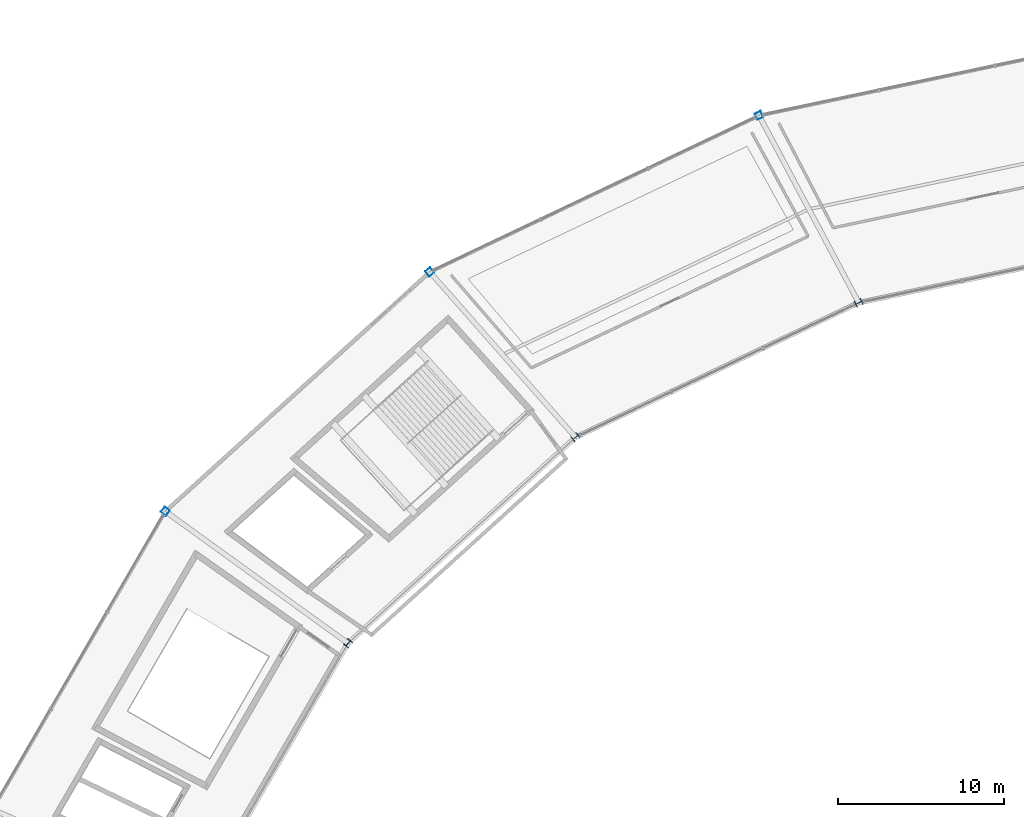
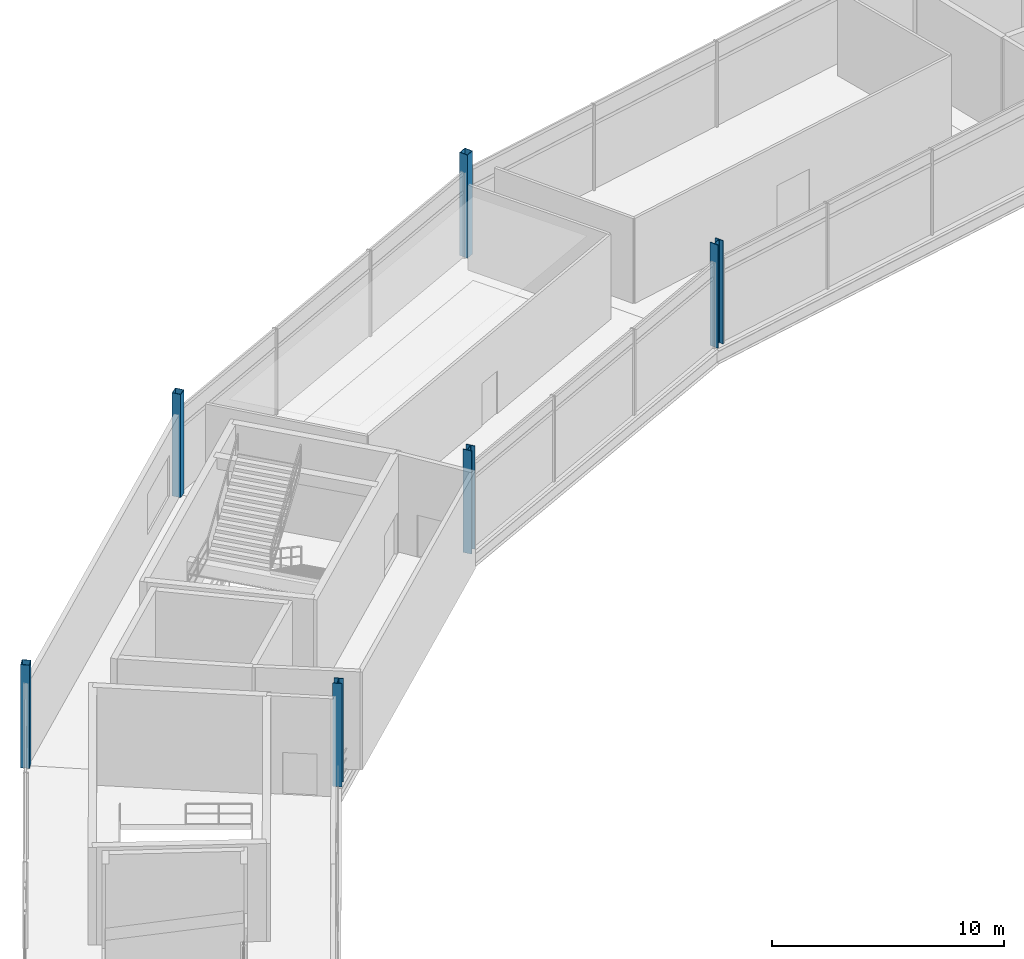
# One storey, part 9 of 86: 6 columns.
"""IFC4 building model written with IfcOpenShell, lengths in metres."""

from ifc_helpers import new_model, si_unit, direction, frame, origin, origin_2d, place, context, subcontext, project, spatial, hollow_rectangle, i_section, extrude, material, material_profile, profile_set, type_object, element, save


model = new_model("IFC4")

# Units and contexts
model_context = context("Model", 3, precision=1e-05, world=origin(), true_north=direction((0.0, 1.0)))
body_context = subcontext(model_context, "Body", "Model", "MODEL_VIEW")
ifc_project = project(units=[si_unit("LENGTHUNIT", "METRE"), si_unit("AREAUNIT", "SQUARE_METRE"), si_unit("VOLUMEUNIT", "CUBIC_METRE"), si_unit("PLANEANGLEUNIT", "RADIAN"), si_unit("MASSUNIT", "GRAM", prefix="KILO")], contexts=[model_context])

# Site, building, storey
site_placement = place(None, origin())
site = spatial("IfcSite", under=ifc_project, at=site_placement, CompositionType="ELEMENT")
building_placement = place(site_placement, origin())
building = spatial("IfcBuilding", under=site, at=building_placement, Name="Kazemori Nagisa Stadium", CompositionType="ELEMENT")
storey_placement = place(building_placement, frame((0.0, 0.0, 31.280029296875)))
storey = spatial("IfcBuildingStorey", under=building, at=storey_placement, Name="L06", CompositionType="ELEMENT", Elevation=31.280029296875)

# Columns
ifc_material_1 = material(Name="Steel SN490B", Category="steel")
ifc_material_profile_1 = material_profile(ifc_material_1, i_section(OverallWidth=0.406982421875, OverallDepth=0.427978515625, WebThickness=0.02001953125, FlangeThickness=0.034912109375, FilletRadius=0.012939453125, at=origin_2d()), Name="H-428x407x20x35")
ifc_profile_set_1 = profile_set([ifc_material_profile_1], Name="Steel SN490B")
column_type_1 = type_object("IfcColumnType", Name="Column_C-H428", PredefinedType="COLUMN", material=ifc_profile_set_1)
for number, where, z_axis, x_axis, name in (
    (1, (86.18798828125, 171.19921875, 0.0), (0.0, 0.0, 1.0), (-0.433883739113, 0.900968867905, 0.0), "Column C-H428 L06 R2-10"),
    (2, (69.165771484375, 163.11083984375, 0.0), (0.0, 0.0, 1.0), (-0.623489801853, 0.781831482473, 0.0), "Column C-H428 L06 R2-11"),
    (3, (55.493896484375, 150.734130859375, 0.0), (0.0, 0.0, 1.0), (-0.781831482473, 0.623489801853, 0.0), "Column C-H428 L06 R2-12"),
):
    element("IfcColumn", number, at=place(storey_placement, frame(where, z_axis=z_axis, x_axis=x_axis)), inside=storey, type_object=column_type_1, Name=name, PredefinedType="COLUMN", context=body_context, shape_type="SweptSolid", body=[
        extrude(i_section(OverallWidth=0.406982421875, OverallDepth=0.427978515625, WebThickness=0.02001953125, FlangeThickness=0.034912109375, FilletRadius=0.012939453125, at=origin_2d()), origin(), (0.0, 0.0, 1.0), 5.43994140625),
    ])
ifc_material_2 = material(Name="Steel STKR490", Category="steel")
ifc_material_profile_2 = material_profile(ifc_material_2, hollow_rectangle(XDim=0.39990234375, YDim=0.39990234375, WallThickness=0.01904296875, at=origin_2d()), Name="SHS-400x400x19")
ifc_profile_set_2 = profile_set([ifc_material_profile_2], Name="Steel STKR490")
column_type_2 = type_object("IfcColumnType", Name="Column_C-ST400", PredefinedType="COLUMN", material=ifc_profile_set_2)
for number, where, z_axis, x_axis, name in (
    (4, (80.1953125, 182.46435546875, 0.0), (0.0, 0.0, 1.0), (-0.433883739113, 0.900968867905, 0.0), "Column C-ST400 L06 R3-10"),
    (5, (60.402099609375, 173.05908203125, 0.0), (0.0, 0.0, 1.0), (-0.623489801853, 0.781831482473, 0.0), "Column C-ST400 L06 R3-11"),
    (6, (44.504638671875, 158.667724609375, 0.0), (0.0, 0.0, 1.0), (-0.781831482473, 0.623489801853, 0.0), "Column C-ST400 L06 R3-12"),
):
    element("IfcColumn", number, at=place(storey_placement, frame(where, z_axis=z_axis, x_axis=x_axis)), inside=storey, type_object=column_type_2, Name=name, PredefinedType="COLUMN", context=body_context, shape_type="SweptSolid", body=[
        extrude(hollow_rectangle(XDim=0.39990234375, YDim=0.39990234375, WallThickness=0.01904296875, at=origin_2d()), origin(), (0.0, 0.0, 1.0), 5.43994140625),
    ])

save(model, "model.ifc")
